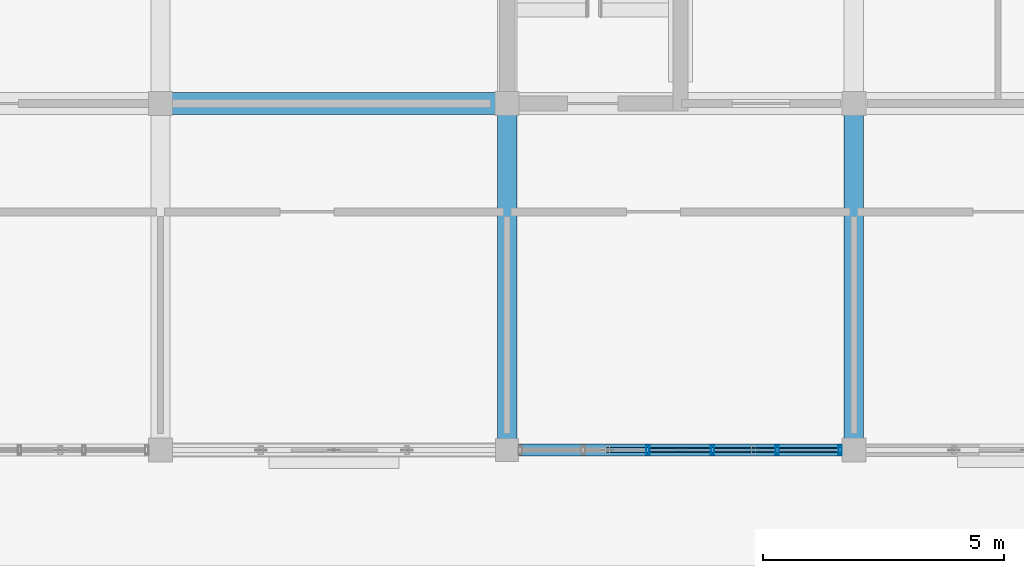
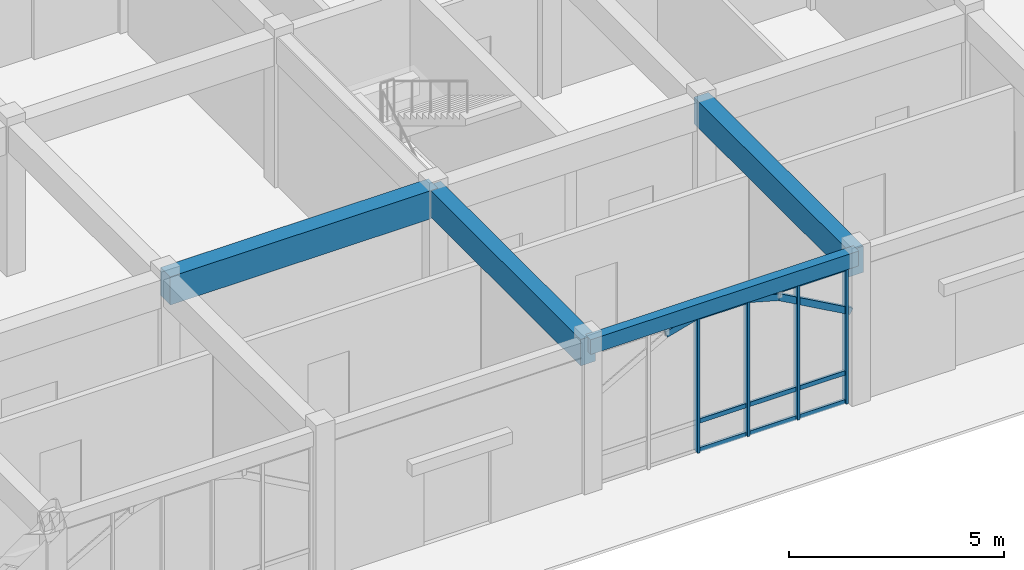
# One storey, part 19 of 138: 16 members, 4 beams, 1 element without a shape of its own.
"""IFC4 building model written with IfcOpenShell, lengths in metres."""

from ifc_helpers import new_model, si_unit, direction, frame, origin, origin_2d, place, context, subcontext, project, spatial, rectangle, hollow_rectangle, extrude, material, layer, layer_set, material_profile, profile_set, type_object, element, aggregate, save


model = new_model("IFC4")

# Units and contexts
model_context = context("Model", 3, precision=1e-05, world=origin(), true_north=direction((0.0, 1.0)))
body_context = subcontext(model_context, "Body", "Model", "MODEL_VIEW")
ifc_project = project(units=[si_unit("LENGTHUNIT", "METRE"), si_unit("AREAUNIT", "SQUARE_METRE"), si_unit("VOLUMEUNIT", "CUBIC_METRE"), si_unit("PLANEANGLEUNIT", "RADIAN"), si_unit("MASSUNIT", "GRAM", prefix="KILO"), si_unit("THERMODYNAMICTEMPERATUREUNIT", "KELVIN"), si_unit("POWERUNIT", "WATT")], contexts=[model_context])

# Site, building, storey
site_placement = place(None, origin())
site = spatial("IfcSite", under=ifc_project, at=site_placement, CompositionType="ELEMENT")
building_placement = place(site_placement, origin())
building = spatial("IfcBuilding", under=site, at=building_placement, Name="Tavuni Mirador Residences", CompositionType="ELEMENT")
storey_placement = place(building_placement, origin())
storey = spatial("IfcBuildingStorey", under=building, at=storey_placement, Name="L00", CompositionType="ELEMENT", Elevation=0.0)

# Beams
ifc_material_1 = material(Name="Precast concrete C40/50", Category="concrete")
ifc_material_profile_1 = material_profile(ifc_material_1, rectangle(XDim=0.39990234375, YDim=0.75, at=origin_2d()), Name="RC 400x750", Category="concrete")
ifc_profile_set_1 = profile_set([ifc_material_profile_1], Name="Precast concrete C40/50")
beam_type_1 = type_object("IfcBeamType", Name="BT-G750", PredefinedType="USERDEFINED", material=ifc_profile_set_1)
for number, where, z_axis, x_axis, name in (
    (1, (75.60009765625, 7.199951171875, 3.885009765625), (0.0, 1.0, 0.0), (-1.0, 0.0, 0.0), "BMY-PAV-SHOP-L00-04-00"),
    (2, (82.800048828125, 7.199951171875, 3.885009765625), (0.0, 1.0, 0.0), (-1.0, 0.0, 0.0), "BMY-PAV-SHOP-L00-05-00"),
):
    element("IfcBeam", number, at=place(storey_placement, frame(where, z_axis=z_axis, x_axis=x_axis)), inside=storey, type_object=beam_type_1, Name=name, ObjectType="GIRDER", PredefinedType="USERDEFINED", context=body_context, shape_type="SweptSolid", body=[
        extrude(rectangle(XDim=0.39990234375, YDim=0.75, at=origin_2d()), origin(), (0.0, 0.0, 1.0), 7.199951171875),
    ])
ifc_material_profile_2 = material_profile(ifc_material_1, rectangle(XDim=0.449951171875, YDim=0.800048828125, at=origin_2d()), Name="RC 450x800", Category="concrete")
ifc_profile_set_2 = profile_set([ifc_material_profile_2], Name="Precast concrete C40/50")
beam_type_2 = type_object("IfcBeamType", Name="BT-G800", PredefinedType="USERDEFINED", material=ifc_profile_set_2)
beam_1_placement = place(storey_placement, frame((68.39990234375, 14.39990234375, 3.860107421875), z_axis=(1.0, 0.0, 0.0), x_axis=(0.0, 1.0, 0.0)))
element("IfcBeam", 3, at=beam_1_placement, inside=storey, type_object=beam_type_2, Name="BMX-PAV-SHOP-L00-03-01", ObjectType="GIRDER", PredefinedType="USERDEFINED", context=body_context, shape_type="SweptSolid", body=[
    extrude(rectangle(XDim=0.449951171875, YDim=0.800048828125, at=origin_2d()), origin(), (0.0, 0.0, 1.0), 7.2001953125),
])
ifc_material_profile_3 = material_profile(ifc_material_1, rectangle(XDim=0.25, YDim=0.419921875, at=origin_2d()), Name="PC 250x420", Category="concrete")
ifc_profile_set_3 = profile_set([ifc_material_profile_3], Name="Precast concrete C40/50")
beam_type_3 = type_object("IfcBeamType", Name="BT-SP420", PredefinedType="SPANDREL", material=ifc_profile_set_3)
beam_2_placement = place(storey_placement, frame((75.60009765625, 7.199951171875, 4.050048828125), z_axis=(1.0, 0.0, 0.0), x_axis=(0.0, 1.0, 0.0)))
element("IfcBeam", 4, at=beam_2_placement, inside=storey, type_object=beam_type_3, Name="BMX-PAV-SHOP-L00-04-00", PredefinedType="SPANDREL", context=body_context, shape_type="SweptSolid", body=[
    extrude(rectangle(XDim=0.25, YDim=0.419921875, at=origin_2d()), origin(), (0.0, 0.0, 1.0), 7.199951171875),
])

# Curtain wall, members
ifc_material_2 = material(Name="Anodised aluminium", Category="aluminium")
ifc_layer = layer(ifc_material_2, 0.18994140625, Name="Anodised aluminium", Category="aluminium")
ifc_layer_set = layer_set([ifc_layer], Name="Anodised aluminium")
curtain_wall_type = type_object("IfcCurtainWallType", Name="CWT-SHP-01", PredefinedType="NOTDEFINED", material=ifc_layer_set)
curtain_wall_placement = place(storey_placement, origin())
curtain_wall = element("IfcCurtainWall", 5, at=curtain_wall_placement, inside=storey, type_object=curtain_wall_type, Name="CW-PAV-SHOP-L00-S04", PredefinedType="NOTDEFINED")
ifc_material_profile_4 = material_profile(ifc_material_2, hollow_rectangle(XDim=0.070068359375, YDim=0.18994140625, WallThickness=0.0048828125, at=origin_2d()), Name="ALU 70x190x5.0", Category="aluminium")
ifc_profile_set_4 = profile_set([ifc_material_profile_4], Name="Anodised aluminium")
member_type_1 = type_object("IfcMemberType", Name="CWM-190", PredefinedType="MULLION", material=ifc_profile_set_4)
member_1_placement = place(storey_placement, frame((78.52392578125, 7.199951171875, 0.0), z_axis=(0.0, 0.0, 1.0), x_axis=(1.0, 0.0, 0.0)))
member_1 = element("IfcMember", 6, at=member_1_placement, type_object=member_type_1, Name="CW-05 mullion 3", PredefinedType="MULLION", context=body_context, shape_type="SweptSolid", body=[
    extrude(hollow_rectangle(XDim=0.070068359375, YDim=0.18994140625, WallThickness=0.0048828125, at=origin_2d()), origin(), (0.0, 0.0, 1.0), 3.830078125),
])
member_2_placement = place(storey_placement, frame((79.865966796875, 7.199951171875, 0.0), z_axis=(0.0, 0.0, 1.0), x_axis=(1.0, 0.0, 0.0)))
member_2 = element("IfcMember", 7, at=member_2_placement, type_object=member_type_1, Name="CW-05 mullion 4", PredefinedType="MULLION", context=body_context, shape_type="SweptSolid", body=[
    extrude(hollow_rectangle(XDim=0.070068359375, YDim=0.18994140625, WallThickness=0.0048828125, at=origin_2d()), origin(), (0.0, 0.0, 1.0), 3.830078125),
])
member_3_placement = place(storey_placement, frame((81.2080078125, 7.199951171875, 0.0), z_axis=(0.0, 0.0, 1.0), x_axis=(1.0, 0.0, 0.0)))
member_3 = element("IfcMember", 8, at=member_3_placement, type_object=member_type_1, Name="CW-05 mullion 5", PredefinedType="MULLION", context=body_context, shape_type="SweptSolid", body=[
    extrude(hollow_rectangle(XDim=0.070068359375, YDim=0.18994140625, WallThickness=0.0048828125, at=origin_2d()), origin(), (0.0, 0.0, 1.0), 3.830078125),
])
member_4_placement = place(storey_placement, frame((82.514892578125, 7.199951171875, 0.0), z_axis=(0.0, 0.0, 1.0), x_axis=(1.0, 0.0, 0.0)))
member_4 = element("IfcMember", 9, at=member_4_placement, type_object=member_type_1, Name="CW-05 mullion 6", PredefinedType="MULLION", context=body_context, shape_type="SweptSolid", body=[
    extrude(hollow_rectangle(XDim=0.070068359375, YDim=0.18994140625, WallThickness=0.0048828125, at=origin_2d()), origin(), (0.0, 0.0, 1.0), 3.830078125),
])
ifc_material_profile_5 = material_profile(ifc_material_2, hollow_rectangle(XDim=0.06494140625, YDim=0.125, WallThickness=0.00439453125, at=origin_2d()), Name="ALU 65x125x4.5", Category="aluminium")
ifc_profile_set_5 = profile_set([ifc_material_profile_5], Name="Anodised aluminium")
member_type_2 = type_object("IfcMemberType", Name="CWT-125", PredefinedType="USERDEFINED", material=ifc_profile_set_5)
member_5_placement = place(storey_placement, frame((78.55908203125, 7.199951171875, 0.032470703125), z_axis=(1.0, 0.0, 0.0), x_axis=(0.0, 1.0, 0.0)))
member_5 = element("IfcMember", 10, at=member_5_placement, type_object=member_type_2, Name="CW-05 transom 3.1", ObjectType="TRANSOM", PredefinedType="USERDEFINED", context=body_context, shape_type="SweptSolid", body=[
    extrude(hollow_rectangle(XDim=0.06494140625, YDim=0.125, WallThickness=0.00439453125, at=origin_2d()), origin(), (0.0, 0.0, 1.0), 1.27197265625),
])
member_6_placement = place(storey_placement, frame((78.55908203125, 7.199951171875, 0.85009765625), z_axis=(1.0, 0.0, 0.0), x_axis=(0.0, 1.0, 0.0)))
member_6 = element("IfcMember", 11, at=member_6_placement, type_object=member_type_2, Name="CW-05 transom 3.2", ObjectType="TRANSOM", PredefinedType="USERDEFINED", context=body_context, shape_type="SweptSolid", body=[
    extrude(hollow_rectangle(XDim=0.06494140625, YDim=0.125, WallThickness=0.00439453125, at=origin_2d()), origin(), (0.0, 0.0, 1.0), 1.27197265625),
])
member_7_placement = place(storey_placement, frame((78.55908203125, 7.199951171875, 3.797607421875), z_axis=(1.0, 0.0, 0.0), x_axis=(0.0, 1.0, 0.0)))
member_7 = element("IfcMember", 12, at=member_7_placement, type_object=member_type_2, Name="CW-05 transom 3.3", ObjectType="TRANSOM", PredefinedType="USERDEFINED", context=body_context, shape_type="SweptSolid", body=[
    extrude(hollow_rectangle(XDim=0.06494140625, YDim=0.125, WallThickness=0.00439453125, at=origin_2d()), origin(), (0.0, 0.0, 1.0), 1.27197265625),
])
member_8_placement = place(storey_placement, frame((79.90087890625, 7.199951171875, 0.032470703125), z_axis=(1.0, 0.0, 0.0), x_axis=(0.0, 1.0, 0.0)))
member_8 = element("IfcMember", 13, at=member_8_placement, type_object=member_type_2, Name="CW-05 transom 4.1", ObjectType="TRANSOM", PredefinedType="USERDEFINED", context=body_context, shape_type="SweptSolid", body=[
    extrude(hollow_rectangle(XDim=0.06494140625, YDim=0.125, WallThickness=0.00439453125, at=origin_2d()), origin(), (0.0, 0.0, 1.0), 1.272216796875),
])
member_9_placement = place(storey_placement, frame((79.90087890625, 7.199951171875, 0.85009765625), z_axis=(1.0, 0.0, 0.0), x_axis=(0.0, 1.0, 0.0)))
member_9 = element("IfcMember", 14, at=member_9_placement, type_object=member_type_2, Name="CW-05 transom 4.2", ObjectType="TRANSOM", PredefinedType="USERDEFINED", context=body_context, shape_type="SweptSolid", body=[
    extrude(hollow_rectangle(XDim=0.06494140625, YDim=0.125, WallThickness=0.00439453125, at=origin_2d()), origin(), (0.0, 0.0, 1.0), 1.272216796875),
])
member_10_placement = place(storey_placement, frame((79.90087890625, 7.199951171875, 3.797607421875), z_axis=(1.0, 0.0, 0.0), x_axis=(0.0, 1.0, 0.0)))
member_10 = element("IfcMember", 15, at=member_10_placement, type_object=member_type_2, Name="CW-05 transom 4.3", ObjectType="TRANSOM", PredefinedType="USERDEFINED", context=body_context, shape_type="SweptSolid", body=[
    extrude(hollow_rectangle(XDim=0.06494140625, YDim=0.125, WallThickness=0.00439453125, at=origin_2d()), origin(), (0.0, 0.0, 1.0), 1.272216796875),
])
member_11_placement = place(storey_placement, frame((81.242919921875, 7.199951171875, 0.032470703125), z_axis=(1.0, 0.0, 0.0), x_axis=(0.0, 1.0, 0.0)))
member_11 = element("IfcMember", 16, at=member_11_placement, type_object=member_type_2, Name="CW-05 transom 5.1", ObjectType="TRANSOM", PredefinedType="USERDEFINED", context=body_context, shape_type="SweptSolid", body=[
    extrude(hollow_rectangle(XDim=0.06494140625, YDim=0.125, WallThickness=0.00439453125, at=origin_2d()), origin(), (0.0, 0.0, 1.0), 1.237060546875),
])
member_12_placement = place(storey_placement, frame((81.242919921875, 7.199951171875, 0.85009765625), z_axis=(1.0, 0.0, 0.0), x_axis=(0.0, 1.0, 0.0)))
member_12 = element("IfcMember", 17, at=member_12_placement, type_object=member_type_2, Name="CW-05 transom 5.2", ObjectType="TRANSOM", PredefinedType="USERDEFINED", context=body_context, shape_type="SweptSolid", body=[
    extrude(hollow_rectangle(XDim=0.06494140625, YDim=0.125, WallThickness=0.00439453125, at=origin_2d()), origin(), (0.0, 0.0, 1.0), 1.237060546875),
])
member_13_placement = place(storey_placement, frame((81.242919921875, 7.199951171875, 3.797607421875), z_axis=(1.0, 0.0, 0.0), x_axis=(0.0, 1.0, 0.0)))
member_13 = element("IfcMember", 18, at=member_13_placement, type_object=member_type_2, Name="CW-05 transom 5.3", ObjectType="TRANSOM", PredefinedType="USERDEFINED", context=body_context, shape_type="SweptSolid", body=[
    extrude(hollow_rectangle(XDim=0.06494140625, YDim=0.125, WallThickness=0.00439453125, at=origin_2d()), origin(), (0.0, 0.0, 1.0), 1.237060546875),
])
aggregate(curtain_wall, [member_1, member_2, member_3, member_4, member_5, member_6, member_7, member_8, member_9, member_10, member_11, member_12, member_13])

# Members
ifc_material_3 = material(Name="Structural steel S355", Category="steel")
ifc_material_profile_6 = material_profile(ifc_material_3, hollow_rectangle(XDim=0.10009765625, YDim=0.179931640625, WallThickness=0.008056640625, at=origin_2d()), Name="RHS 180x100x8.0", Category="steel")
ifc_profile_set_6 = profile_set([ifc_material_profile_6], Name="Structural steel S355")
member_type_3 = type_object("IfcMemberType", Name="MT-BR-RHS180", PredefinedType="BRACE", material=ifc_profile_set_6)
for number, where, z_axis, x_axis, name in (
    (19, (77.681884765625, 7.199951171875, 3.6298828125), (0.9637661981, 0.0, 0.266748412179), (0.0, 1.0, 0.0), "ARCH-SHOP-S-04-S1"),
    (20, (79.199951171875, 7.199951171875, 4.050048828125), (0.9637661981, 0.0, -0.266748412179), (0.0, 1.0, 0.0), "ARCH-SHOP-S-04-S2"),
):
    element("IfcMember", number, at=place(storey_placement, frame(where, z_axis=z_axis, x_axis=x_axis)), inside=storey, type_object=member_type_3, Name=name, PredefinedType="BRACE", context=body_context, shape_type="SweptSolid", body=[
        extrude(hollow_rectangle(XDim=0.10009765625, YDim=0.179931640625, WallThickness=0.008056640625, at=origin_2d()), origin(), (0.0, 0.0, 1.0), 1.5751953125),
    ])
member_14_placement = place(storey_placement, frame((80.718017578125, 7.199951171875, 3.6298828125), z_axis=(0.872895121114, 0.0, -0.487907888372), x_axis=(0.0, 1.0, 0.0)))
element("IfcMember", 21, at=member_14_placement, inside=storey, type_object=member_type_3, Name="ARCH-SHOP-S-04-H2", PredefinedType="BRACE", context=body_context, shape_type="SweptSolid", body=[
    extrude(hollow_rectangle(XDim=0.10009765625, YDim=0.179931640625, WallThickness=0.008056640625, at=origin_2d()), origin(), (0.0, 0.0, 1.0), 2.213134765625),
])

save(model, "model.ifc")
